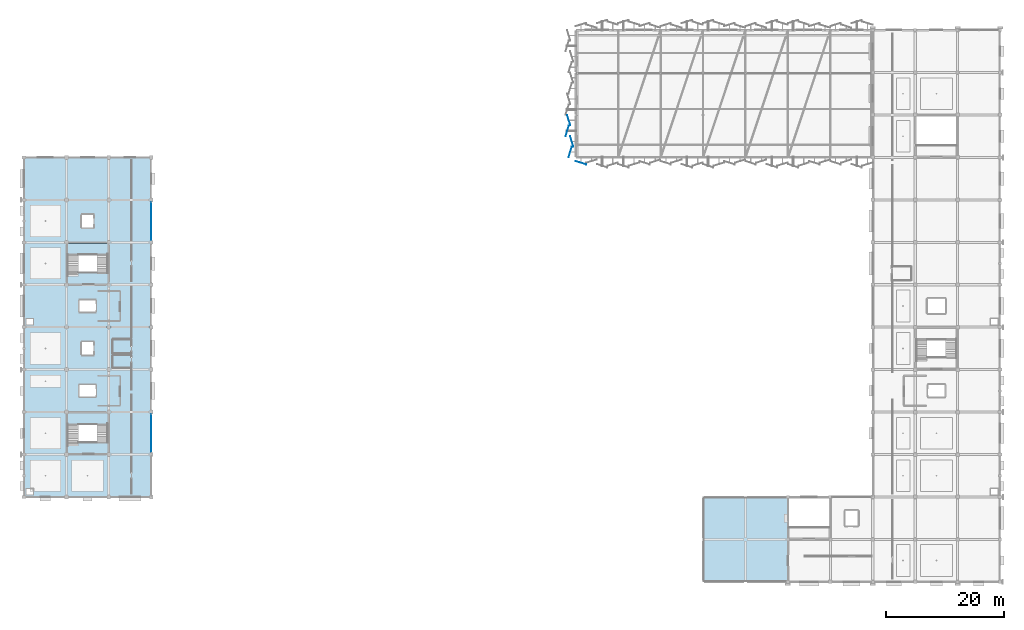
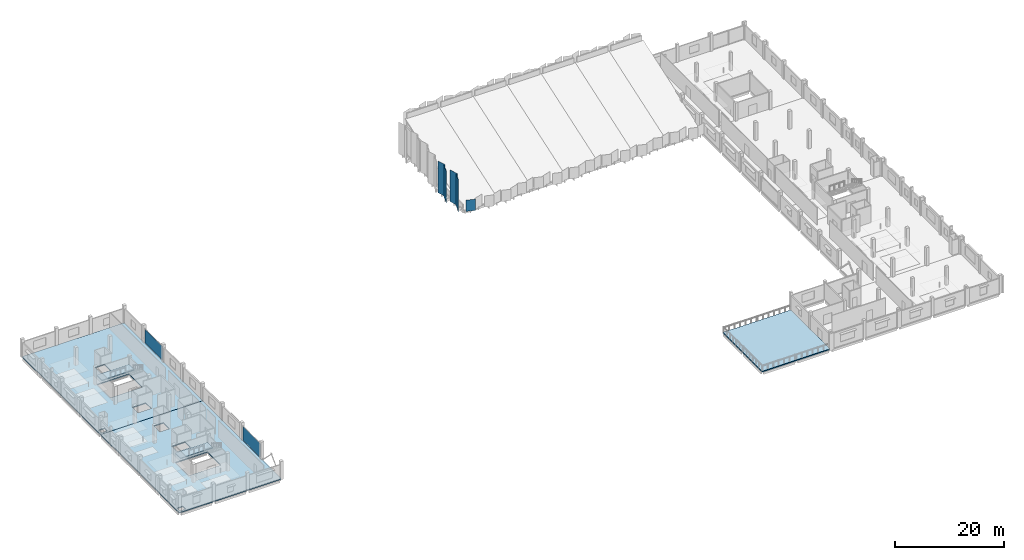
# One storey, part 29 of 59: 7 plates, 5 slabs, 4 elements without a shape of their own.
"""IFC4 building model written with IfcOpenShell, lengths in metres."""

from ifc_helpers import new_model, si_unit, direction, frame, origin, origin_2d, place, context, subcontext, project, spatial, polyline, rectangle, outline, extrude, material, layer, layer_set, type_object, element, aggregate, save


model = new_model("IFC4")

# Units and contexts
model_context = context("Model", 3, precision=1e-05, world=origin(), true_north=direction((0.0, 1.0)))
body_context = subcontext(model_context, "Body", "Model", "MODEL_VIEW")
ifc_project = project(units=[si_unit("LENGTHUNIT", "METRE"), si_unit("AREAUNIT", "SQUARE_METRE"), si_unit("VOLUMEUNIT", "CUBIC_METRE"), si_unit("PLANEANGLEUNIT", "RADIAN"), si_unit("MASSUNIT", "GRAM", prefix="KILO")], contexts=[model_context])

# Site, building, storey
site_placement = place(None, origin())
site = spatial("IfcSite", under=ifc_project, at=site_placement, CompositionType="ELEMENT")
building_placement = place(site_placement, origin())
building = spatial("IfcBuilding", under=site, at=building_placement, Name="Kangsadwip Square Police Headquarters", CompositionType="ELEMENT")
storey_placement = place(building_placement, frame((0.0, 0.0, 21.60009765625)))
storey = spatial("IfcBuildingStorey", under=building, at=storey_placement, Name="L05", CompositionType="ELEMENT", Elevation=21.60009765625)

# Curtain wall, plate
ifc_material_1 = material(Name="Thermally broken anodised aluminium AW-6063-T6", Category="aluminium")
ifc_layer_1 = layer(ifc_material_1, 0.159912109375)
ifc_layer_set_1 = layer_set([ifc_layer_1], Name="Thermally broken anodised aluminium AW-6063-T6")
curtain_wall_type = type_object("IfcCurtainWallType", Name="CourtScreen6560x3300", PredefinedType="USERDEFINED", material=ifc_layer_set_1)
curtain_wall_1_placement = place(storey_placement, origin())
curtain_wall_1 = element("IfcCurtainWall", 1, at=curtain_wall_1_placement, inside=storey, type_object=curtain_wall_type, Name="Curtain Wall CW-L05-0216-0435", ObjectType="GLAZED_SCREEN", PredefinedType="USERDEFINED")
ifc_material_2 = material(Name="Double-glazed solar-control low-E safety glass", Category="glass")
ifc_layer_2 = layer(ifc_material_2, 0.02392578125)
ifc_layer_set_2 = layer_set([ifc_layer_2], Name="Double-glazed solar-control low-E safety glass")
plate_type_1 = type_object("IfcPlateType", Name="CwCourtVisionPanel24", PredefinedType="CURTAIN_PANEL", material=ifc_layer_set_2)
plate_1_placement = place(storey_placement, frame((21.60009765625, 46.800048828125, 0.119873046875), z_axis=(0.0, 0.0, 1.0), x_axis=(0.0, 1.0, 0.0)))
plate_1 = element("IfcPlate", 2, at=plate_1_placement, type_object=plate_type_1, Name="CW-48 panel 1.1", PredefinedType="CURTAIN_PANEL", context=body_context, shape_type="SweptSolid", body=[
    extrude(rectangle(XDim=6.43994140625, YDim=0.02392578125, at=origin_2d()), origin(), (0.0, 0.0, 1.0), 3.06005859375),
])
aggregate(curtain_wall_1, [plate_1])

curtain_wall_2_placement = place(storey_placement, origin())
curtain_wall_2 = element("IfcCurtainWall", 3, at=curtain_wall_2_placement, inside=storey, type_object=curtain_wall_type, Name="Curtain Wall CW-L05-0216-0795", ObjectType="GLAZED_SCREEN", PredefinedType="USERDEFINED")
plate_2_placement = place(storey_placement, frame((21.60009765625, 82.800048828125, 0.119873046875), z_axis=(0.0, 0.0, 1.0), x_axis=(0.0, 1.0, 0.0)))
plate_2 = element("IfcPlate", 4, at=plate_2_placement, type_object=plate_type_1, Name="CW-48 panel 1.1", PredefinedType="CURTAIN_PANEL", context=body_context, shape_type="SweptSolid", body=[
    extrude(rectangle(XDim=6.43994140625, YDim=0.02392578125, at=origin_2d()), origin(), (0.0, 0.0, 1.0), 3.06005859375),
])
aggregate(curtain_wall_2, [plate_2])

# Slabs
ifc_material_3 = material(Name="Concrete M35 (35 MPa)", Category="concrete")
ifc_layer_3 = layer(ifc_material_3, 0.219970703125)
ifc_layer_set_3 = layer_set([ifc_layer_3], Name="Concrete M35 (35 MPa)")
slab_type_1 = type_object("IfcSlabType", Name="LinkBridgeFloorSlab220", PredefinedType="FLOOR", material=ifc_layer_set_3)
slab_1_placement = place(storey_placement, frame((0.0, 0.0, -0.22021484375)))
element("IfcSlab", 5, at=slab_1_placement, inside=storey, type_object=slab_type_1, Name="L05 Vol5S Slab SL-L05-055", PredefinedType="FLOOR", context=body_context, shape_type="SweptSolid", body=[
    extrude(outline(polyline([(0.0, 36.0), (0.0, 64.800048828125), (21.60009765625, 64.800048828125), (21.60009765625, 36.0), (0.0, 36.0)]), holes=[polyline([(1.60009765625, 37.39990234375), (0.39990234375, 37.39990234375), (0.39990234375, 36.39990234375), (1.60009765625, 36.39990234375), (1.60009765625, 37.39990234375)]), polyline([(14.179931640625, 45.280029296875), (14.179931640625, 50.179931640625), (7.419921875, 50.179931640625), (7.419921875, 45.280029296875), (14.179931640625, 45.280029296875)]), polyline([(12.199951171875, 55.0), (9.39990234375, 55.0), (9.39990234375, 53.0), (12.199951171875, 53.0), (12.199951171875, 55.0)]), polyline([(11.800048828125, 62.300048828125), (9.800048828125, 62.300048828125), (9.800048828125, 60.10009765625), (11.800048828125, 60.10009765625), (11.800048828125, 62.300048828125)])]), origin(), (0.0, 0.0, 1.0), 0.22021484375),
])
slab_2_placement = place(storey_placement, frame((0.0, 0.0, -0.22021484375)))
element("IfcSlab", 6, at=slab_2_placement, inside=storey, type_object=slab_type_1, Name="L05 Vol5N Slab SL-L05-056", PredefinedType="FLOOR", context=body_context, shape_type="SweptSolid", body=[
    extrude(outline(polyline([(0.0, 64.800048828125), (0.0, 93.60009765625), (21.60009765625, 93.60009765625), (21.60009765625, 64.800048828125), (0.0, 64.800048828125)]), holes=[polyline([(1.60009765625, 66.199951171875), (0.39990234375, 66.199951171875), (0.39990234375, 65.199951171875), (1.60009765625, 65.199951171875), (1.60009765625, 66.199951171875)]), polyline([(12.199951171875, 69.39990234375), (9.39990234375, 69.39990234375), (9.39990234375, 67.39990234375), (12.199951171875, 67.39990234375), (12.199951171875, 69.39990234375)]), polyline([(14.179931640625, 74.080078125), (14.179931640625, 78.97998046875), (7.419921875, 78.97998046875), (7.419921875, 74.080078125), (14.179931640625, 74.080078125)]), polyline([(11.800048828125, 83.89990234375), (9.800048828125, 83.89990234375), (9.800048828125, 81.699951171875), (11.800048828125, 81.699951171875), (11.800048828125, 83.89990234375)])]), origin(), (0.0, 0.0, 1.0), 0.22021484375),
])

# Plates
ifc_material_4 = material(Name="PVDF-coated perforated marine-grade aluminium AW-5052-H32", Category="aluminium")
ifc_layer_4 = layer(ifc_material_4, 0.008056640625)
ifc_layer_set_4 = layer_set([ifc_layer_4], Name="PVDF-coated perforated marine-grade aluminium AW-5052-H32")
plate_type_2 = type_object("IfcPlateType", Name="PleatedVeilFacet3", PredefinedType="USERDEFINED", material=ifc_layer_set_4)
plate_3_placement = place(storey_placement, frame((94.5, 92.674560546875, 0.079833984375), z_axis=(0.0, 0.0, 1.0), x_axis=(0.953716950748, -0.300705799504, 0.0)))
element("IfcPlate", 7, at=plate_3_placement, inside=storey, type_object=plate_type_2, Name="Pleated Perforated Veil Facet PVF-L05-0365", ObjectType="VEIL_FACET", PredefinedType="USERDEFINED", context=body_context, shape_type="SweptSolid", body=[
    extrude(rectangle(XDim=1.820068359375, YDim=0.008056640625, at=origin_2d()), origin(), (0.0, 0.0, 1.0), 2.52001953125),
])
ifc_material_5 = material(Name="PVDF-coated perforated marine-grade aluminium AW-5052-H32", Category="aluminium")
ifc_layer_5 = layer(ifc_material_5, 0.0048828125)
ifc_layer_set_5 = layer_set([ifc_layer_5], Name="PVDF-coated perforated marine-grade aluminium AW-5052-H32")
plate_type_3 = type_object("IfcPlateType", Name="PleatedVeilFacet5", PredefinedType="USERDEFINED", material=ifc_layer_set_5)
for number, where, z_axis, x_axis, name in (
    (8, (92.674560546875, 94.5, 0.079833984375), (0.0, 0.0, 1.0), (0.300705799504, 0.953716950748, 0.0), "Pleated Perforated Veil Facet PVF-L05-0405"),
    (9, (92.95458984375, 96.300048828125, 0.079833984375), (0.0, 0.0, 1.0), (-0.300705799504, 0.953716950748, 0.0), "Pleated Perforated Veil Facet PVF-L05-0406"),
    (10, (92.165283203125, 98.10009765625, 0.079833984375), (0.0, 0.0, 1.0), (0.300705799504, 0.953716950748, 0.0), "Pleated Perforated Veil Facet PVF-L05-0407"),
    (11, (92.4453125, 99.89990234375, 0.079833984375), (0.0, 0.0, 1.0), (-0.300705799504, 0.953716950748, 0.0), "Pleated Perforated Veil Facet PVF-L05-0408"),
):
    element("IfcPlate", number, at=place(storey_placement, frame(where, z_axis=z_axis, x_axis=x_axis)), inside=storey, type_object=plate_type_3, Name=name, ObjectType="VEIL_FACET", PredefinedType="USERDEFINED", context=body_context, shape_type="SweptSolid", body=[
        extrude(rectangle(XDim=1.820068359375, YDim=0.0048828125, at=origin_2d()), origin(), (0.0, 0.0, 1.0), 7.1201171875),
    ])

# Stair, slab
ifc_material_6 = material(Name="Concrete M35 (35 MPa)", Category="concrete")
stair_type = type_object("IfcStairType", Name="Stair2FlightTypW1850", PredefinedType="HALF_TURN_STAIR", material=ifc_material_6)
stair_1_placement = place(storey_placement, origin())
stair_1 = element("IfcStair", 12, at=stair_1_placement, inside=storey, type_object=stair_type, Name="Protected Stair ST-01 L05", PredefinedType="HALF_TURN_STAIR")
ifc_material_7 = material(Name="Concrete M35 (35 MPa)", Category="concrete")
ifc_layer_6 = layer(ifc_material_7, 0.199951171875)
ifc_layer_set_6 = layer_set([ifc_layer_6], Name="Concrete M35 (35 MPa)")
slab_type_2 = type_object("IfcSlabType", Name="StairLandingSlab200", PredefinedType="LANDING", material=ifc_layer_set_6)
slab_3_placement = place(storey_placement, frame((0.0, 0.0, 1.906005859375)))
slab_3 = element("IfcSlab", 13, at=slab_3_placement, type_object=slab_type_2, Name="ST-01 landing 1", PredefinedType="LANDING", context=body_context, shape_type="SweptSolid", body=[
    extrude(outline(polyline([(7.3701171875, 48.280029296875), (14.22998046875, 48.280029296875), (14.22998046875, 50.22998046875), (7.3701171875, 50.22998046875), (7.3701171875, 48.280029296875)])), origin(), (0.0, 0.0, 1.0), 0.199951171875),
])
aggregate(stair_1, [slab_3])

stair_2_placement = place(storey_placement, origin())
stair_2 = element("IfcStair", 14, at=stair_2_placement, inside=storey, type_object=stair_type, Name="Protected Stair ST-02 L05", PredefinedType="HALF_TURN_STAIR")
slab_4_placement = place(storey_placement, frame((0.0, 0.0, 1.906005859375)))
slab_4 = element("IfcSlab", 15, at=slab_4_placement, type_object=slab_type_2, Name="ST-02 landing 1", PredefinedType="LANDING", context=body_context, shape_type="SweptSolid", body=[
    extrude(outline(polyline([(7.3701171875, 77.080078125), (14.22998046875, 77.080078125), (14.22998046875, 79.030029296875), (7.3701171875, 79.030029296875), (7.3701171875, 77.080078125)])), origin(), (0.0, 0.0, 1.0), 0.199951171875),
])
aggregate(stair_2, [slab_4])

# Slab
ifc_material_8 = material(Name="Concrete M35 (35 MPa)", Category="concrete")
ifc_layer_7 = layer(ifc_material_8, 0.22509765625)
ifc_layer_set_7 = layer_set([ifc_layer_7], Name="Concrete M35 (35 MPa)")
slab_type_3 = type_object("IfcSlabType", Name="TerraceGardenSlab200", PredefinedType="USERDEFINED", material=ifc_layer_set_7)
slab_5_placement = place(storey_placement, frame((0.0, 0.0, -0.22509765625)))
element("IfcSlab", 16, at=slab_5_placement, inside=storey, type_object=slab_type_3, Name="Mandatory Fire Refuge Terrace SL-L05-071", ObjectType="TERRACE_SLAB", PredefinedType="USERDEFINED", context=body_context, shape_type="SweptSolid", body=[
    extrude(outline(polyline([(115.199951171875, 21.60009765625), (115.199951171875, 36.0), (129.60009765625, 36.0), (129.60009765625, 21.60009765625), (115.199951171875, 21.60009765625)])), origin(), (0.0, 0.0, 1.0), 0.22509765625),
])

save(model, "model.ifc")
